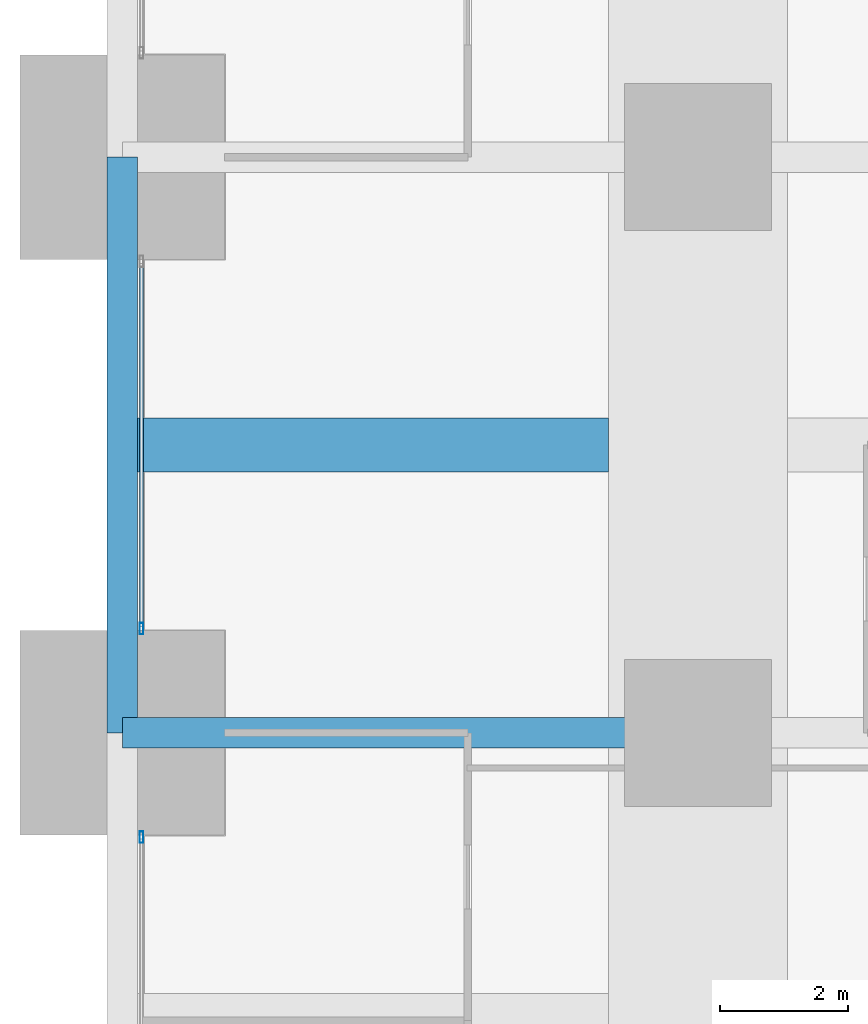
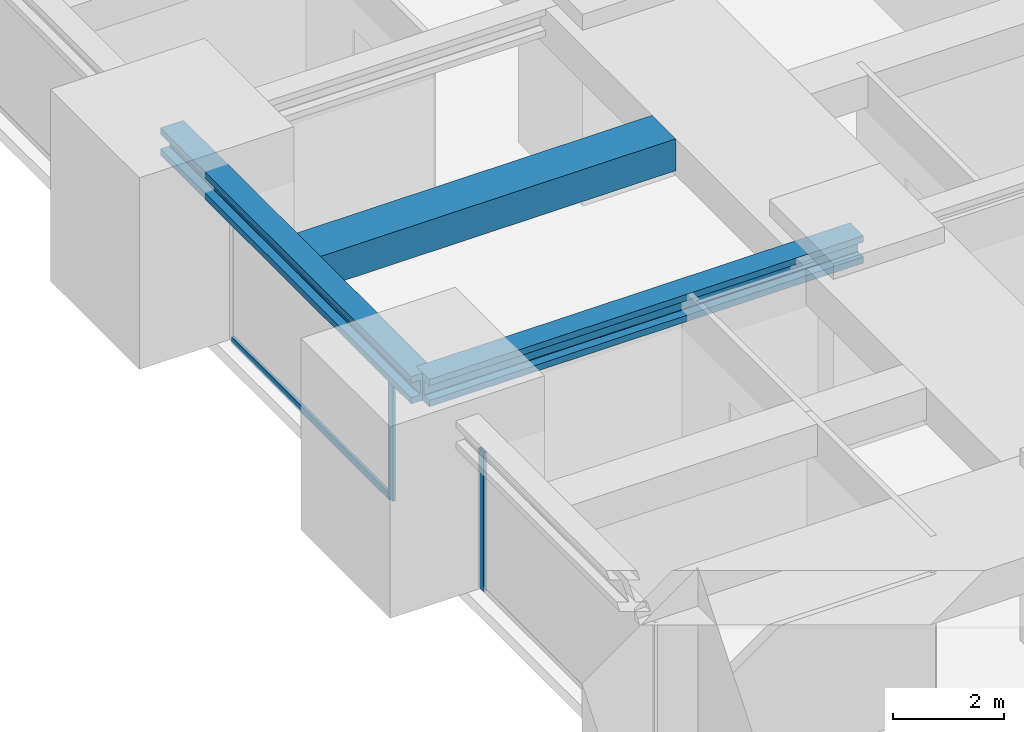
# One storey, part 8 of 42: 3 beams, 3 members, 2 elements without a shape of their own.
"""IFC4 building model written with IfcOpenShell, lengths in metres."""

from ifc_helpers import new_model, si_unit, direction, frame, origin, origin_2d, place, context, subcontext, project, spatial, rectangle, hollow_rectangle, i_section, extrude, material, material_profile, profile_set, type_object, element, aggregate, save


model = new_model("IFC4")

# Units and contexts
model_context = context("Model", 3, precision=1e-05, world=origin(), true_north=direction((0.0, 1.0)))
body_context = subcontext(model_context, "Body", "Model", "MODEL_VIEW")
ifc_project = project(units=[si_unit("LENGTHUNIT", "METRE"), si_unit("AREAUNIT", "SQUARE_METRE"), si_unit("VOLUMEUNIT", "CUBIC_METRE"), si_unit("PLANEANGLEUNIT", "RADIAN"), si_unit("MASSUNIT", "GRAM", prefix="KILO")], contexts=[model_context])

# Site, building, storey
site_placement = place(None, origin())
site = spatial("IfcSite", under=ifc_project, at=site_placement, CompositionType="ELEMENT")
building_placement = place(site_placement, origin())
building = spatial("IfcBuilding", under=site, at=building_placement, Name="Zorevar Civic Tower", CompositionType="ELEMENT")
storey_placement = place(building_placement, frame((0.0, 0.0, 75.800048828125)))
storey = spatial("IfcBuildingStorey", under=building, at=storey_placement, Name="L18", CompositionType="ELEMENT", Elevation=75.800048828125)

# Beams
ifc_material_1 = material(Name="Concrete C50/60", Category="concrete")
ifc_material_profile_1 = material_profile(ifc_material_1, rectangle(XDim=0.85009765625, YDim=0.699951171875, at=origin_2d()), Name="RC 850x700")
ifc_profile_set_1 = profile_set([ifc_material_profile_1], Name="Concrete C50/60")
beam_type_1 = type_object("IfcBeamType", Name="Beam RC 850x700", PredefinedType="BEAM", material=ifc_profile_set_1)
beam_1_placement = place(storey_placement, frame((0.238037109375, 22.5, 3.5), z_axis=(1.0, 0.0, 0.0), x_axis=(0.0, 1.0, 0.0)))
element("IfcBeam", 1, at=beam_1_placement, inside=storey, type_object=beam_type_1, Name="Secondary beam L19", PredefinedType="BEAM", context=body_context, shape_type="SweptSolid", body=[
    extrude(rectangle(XDim=0.85009765625, YDim=0.699951171875, at=origin_2d()), origin(), (0.0, 0.0, 1.0), 7.362060546875),
])
ifc_material_2 = material(Name="Steel S460M (HISTAR 460)", Category="steel")
ifc_material_profile_2 = material_profile(ifc_material_2, i_section(OverallWidth=0.47607421875, OverallDepth=0.60009765625, WebThickness=0.10009765625, FlangeThickness=0.139892578125, FilletRadius=0.014892578125, at=origin_2d()), Name="HD 400x1299")
ifc_profile_set_2 = profile_set([ifc_material_profile_2], Name="Steel S460M (HISTAR 460)")
beam_type_2 = type_object("IfcBeamType", Name="Belt chord HD 400x1299", PredefinedType="BEAM", material=ifc_profile_set_2)
beam_2_placement = place(storey_placement, frame((0.0, 18.0, 3.550048828125), z_axis=(0.0, 1.0, 0.0), x_axis=(-1.0, 0.0, 0.0)))
element("IfcBeam", 2, at=beam_2_placement, inside=storey, type_object=beam_type_2, Name="Belt chord L19", PredefinedType="BEAM", context=body_context, shape_type="SweptSolid", body=[
    extrude(i_section(OverallWidth=0.47607421875, OverallDepth=0.60009765625, WebThickness=0.10009765625, FlangeThickness=0.139892578125, FilletRadius=0.014892578125, at=origin_2d()), origin(), (0.0, 0.0, 1.0), 9.0),
])

# Curtain wall, member
ifc_material_3 = material(Name="Dark grey solar-control glass in black aluminium frame", Category="aluminium")
curtain_wall_type = type_object("IfcCurtainWallType", Name="Curtain wall CW2 low zone", PredefinedType="NOTDEFINED", material=ifc_material_3)
curtain_wall_1_placement = place(storey_placement, origin())
curtain_wall_1 = element("IfcCurtainWall", 3, at=curtain_wall_1_placement, inside=storey, type_object=curtain_wall_type, Name="CW2 L18", PredefinedType="NOTDEFINED")
ifc_material_4 = material(Name="Aluminium, black anodised", Category="aluminium")
ifc_material_profile_3 = material_profile(ifc_material_4, hollow_rectangle(XDim=0.06005859375, YDim=0.179931640625, WallThickness=0.00390625, at=origin_2d()), Name="AL 180x60x4")
ifc_profile_set_3 = profile_set([ifc_material_profile_3], Name="Aluminium, black anodised")
member_type_1 = type_object("IfcMemberType", Name="CW2 mullion AL 180x60x4", PredefinedType="MULLION", material=ifc_profile_set_3)
member_1_placement = place(storey_placement, frame((0.300048828125, 16.3701171875, 0.0), z_axis=(0.0, 0.0, 1.0), x_axis=(-1.0, 0.0, 0.0)))
member_1 = element("IfcMember", 4, at=member_1_placement, type_object=member_type_1, Name="CW2 mullion 2", PredefinedType="MULLION", context=body_context, shape_type="SweptSolid", body=[
    extrude(hollow_rectangle(XDim=0.06005859375, YDim=0.179931640625, WallThickness=0.00390625, at=origin_2d()), origin(), (0.0, 0.0, 1.0), 3.050048828125),
])
aggregate(curtain_wall_1, [member_1])

# Curtain wall, members
curtain_wall_2_placement = place(storey_placement, origin())
curtain_wall_2 = element("IfcCurtainWall", 5, at=curtain_wall_2_placement, inside=storey, type_object=curtain_wall_type, Name="CW2 L18", PredefinedType="NOTDEFINED")
member_2_placement = place(storey_placement, frame((0.300048828125, 19.6298828125, 0.0), z_axis=(0.0, 0.0, 1.0), x_axis=(-1.0, 0.0, 0.0)))
member_2 = element("IfcMember", 6, at=member_2_placement, type_object=member_type_1, Name="CW2 mullion 1", PredefinedType="MULLION", context=body_context, shape_type="SweptSolid", body=[
    extrude(hollow_rectangle(XDim=0.06005859375, YDim=0.179931640625, WallThickness=0.00390625, at=origin_2d()), origin(), (0.0, 0.0, 1.0), 3.050048828125),
])
ifc_material_5 = material(Name="Aluminium, black anodised", Category="aluminium")
ifc_material_profile_4 = material_profile(ifc_material_5, hollow_rectangle(XDim=0.06005859375, YDim=0.14990234375, WallThickness=0.00390625, at=origin_2d()), Name="AL 150x60x4")
ifc_profile_set_4 = profile_set([ifc_material_profile_4], Name="Aluminium, black anodised")
member_type_2 = type_object("IfcMemberType", Name="CW2 transom AL 150x60x4", PredefinedType="USERDEFINED", material=ifc_profile_set_4)
member_3_placement = place(storey_placement, frame((0.300048828125, 19.659912109375, 0.030029296875), z_axis=(0.0, 1.0, 0.0), x_axis=(-1.0, 0.0, 0.0)))
member_3 = element("IfcMember", 7, at=member_3_placement, type_object=member_type_2, Name="CW2 sill transom", ObjectType="TRANSOM", PredefinedType="USERDEFINED", context=body_context, shape_type="SweptSolid", body=[
    extrude(hollow_rectangle(XDim=0.06005859375, YDim=0.14990234375, WallThickness=0.00390625, at=origin_2d()), origin(), (0.0, 0.0, 1.0), 5.68017578125),
])
aggregate(curtain_wall_2, [member_2, member_3])

# Beam
ifc_material_6 = material(Name="Steel S460M (HISTAR 460)", Category="steel")
ifc_material_profile_5 = material_profile(ifc_material_6, i_section(OverallWidth=0.47607421875, OverallDepth=0.60009765625, WebThickness=0.10009765625, FlangeThickness=0.139892578125, FilletRadius=0.014892578125, at=origin_2d()), Name="HD 400x1299")
ifc_profile_set_5 = profile_set([ifc_material_profile_5], Name="Steel S460M (HISTAR 460)")
beam_type_3 = type_object("IfcBeamType", Name="Outrigger chord HD 400x1299", PredefinedType="BEAM", material=ifc_profile_set_5)
beam_3_placement = place(storey_placement, frame((0.0, 18.0, 3.550048828125), z_axis=(1.0, 0.0, 0.0), x_axis=(0.0, 1.0, 0.0)))
element("IfcBeam", 8, at=beam_3_placement, inside=storey, type_object=beam_type_3, Name="Outrigger chord L19", PredefinedType="BEAM", context=body_context, shape_type="SweptSolid", body=[
    extrude(i_section(OverallWidth=0.47607421875, OverallDepth=0.60009765625, WebThickness=0.10009765625, FlangeThickness=0.139892578125, FilletRadius=0.014892578125, at=origin_2d()), origin(), (0.0, 0.0, 1.0), 9.0),
])

save(model, "model.ifc")
